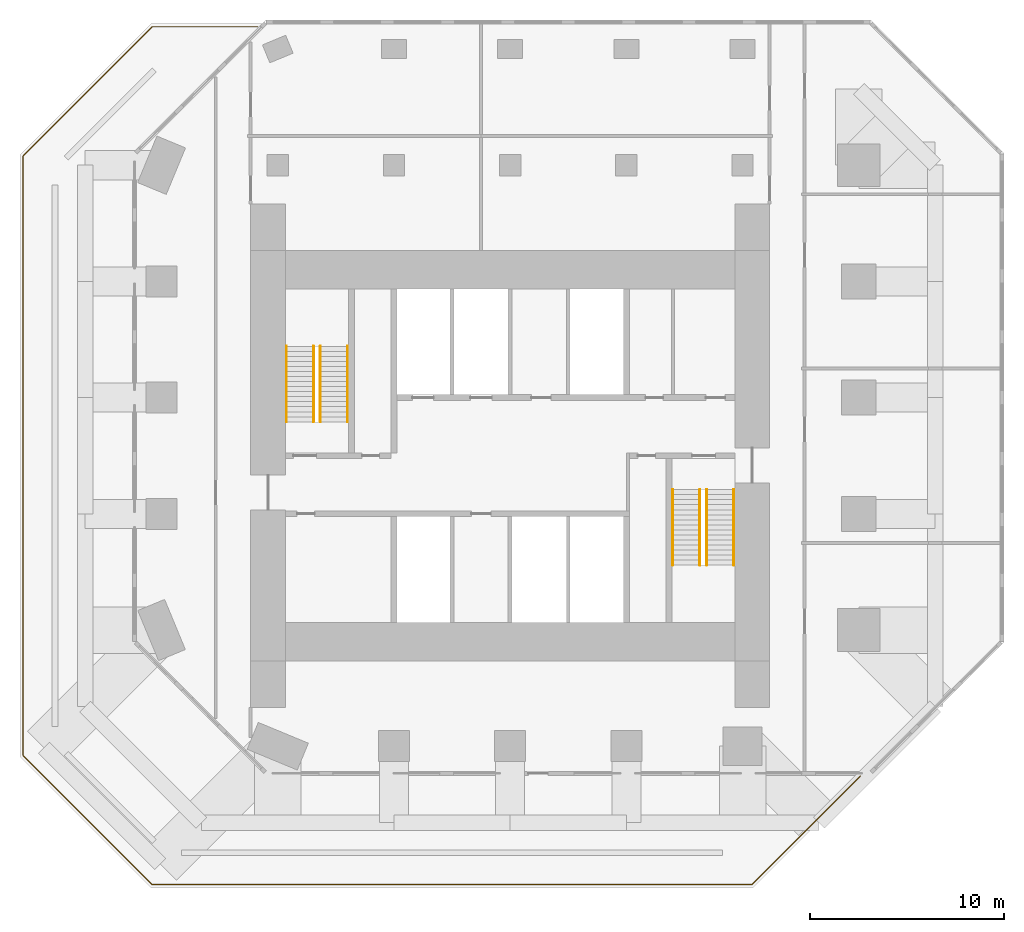
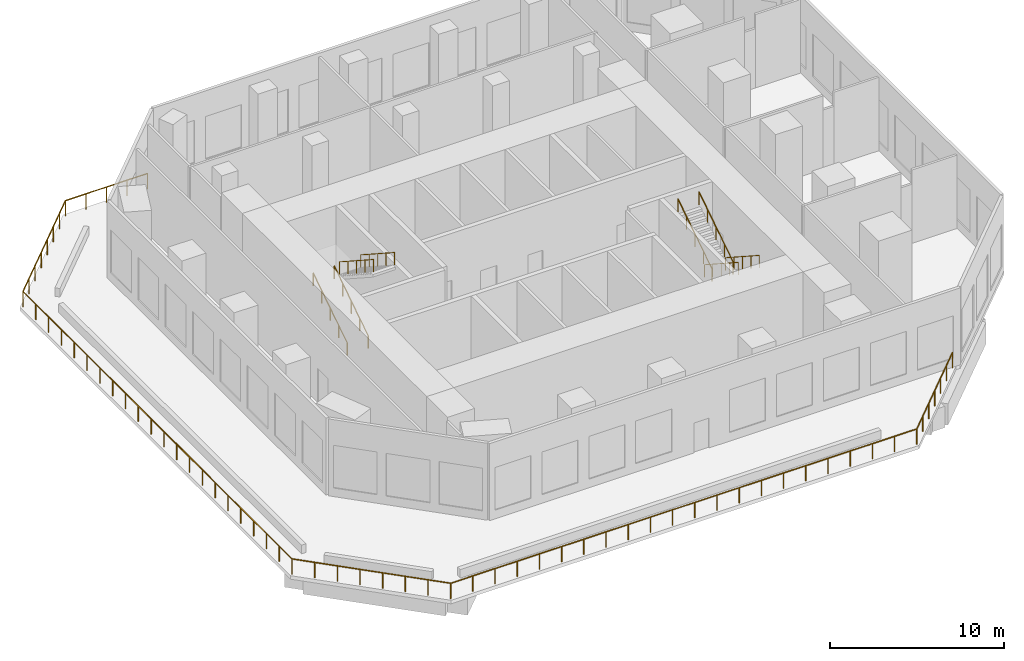
# One storey, part 6 of 6: 9 railings.
"""IFC4 building model written with IfcOpenShell, lengths in metres."""

from ifc_helpers import new_model, si_unit, direction, frame, origin, origin_2d, place, context, subcontext, project, spatial, circle, extrude, material, type_object, element, save


model = new_model("IFC4")

# Units and contexts
model_context = context("Model", 3, precision=1e-05, world=origin(), true_north=direction((0.0, 1.0)))
body_context = subcontext(model_context, "Body", "Model", "MODEL_VIEW")
ifc_project = project(units=[si_unit("LENGTHUNIT", "METRE"), si_unit("AREAUNIT", "SQUARE_METRE"), si_unit("VOLUMEUNIT", "CUBIC_METRE"), si_unit("PLANEANGLEUNIT", "RADIAN"), si_unit("MASSUNIT", "GRAM", prefix="KILO")], contexts=[model_context])

# Site, building, storey
site_placement = place(None, origin())
site = spatial("IfcSite", under=ifc_project, at=site_placement, CompositionType="ELEMENT")
building_placement = place(site_placement, origin())
building = spatial("IfcBuilding", under=site, at=building_placement, Name="Highveld Stack Headquarters", CompositionType="ELEMENT")
storey_placement = place(building_placement, frame((0.0, 0.0, 239.60009765625)))
storey = spatial("IfcBuildingStorey", under=building, at=storey_placement, Name="L59", CompositionType="ELEMENT", Elevation=239.60009765625)

# Railings
ifc_material_1 = material(Name="Stainless steel handrail", Category="steel")
railing_type_1 = type_object("IfcRailingType", Name="STAIR HANDRAIL HR1 900", PredefinedType="HANDRAIL", material=ifc_material_1)
for number, where, name in (
    (1, (-5.550048828125, 4.75, 0.168701171875), "Handrail S1 L59 flight 1"),
    (2, (-4.14990234375, 4.75, 0.168701171875), "Handrail S1 L59 flight 1"),
):
    element("IfcRailing", number, at=place(storey_placement, frame(where)), inside=storey, type_object=railing_type_1, Name=name, PredefinedType="HANDRAIL", context=body_context, shape_type="SweptSolid", body=[
        extrude(circle(Radius=0.02392578125, at=origin_2d()), frame((0.0, 0.0, 0.8759765625), z_axis=(0.0, 0.838805745541, 0.544430823198), x_axis=(-1.0, 0.0, 0.0)), (0.0, 0.0, 1.0), 4.6494140625),
        extrude(circle(Radius=0.02099609375, at=origin_2d()), origin(), (0.0, 0.0, 1.0), 0.851806640625),
        extrude(circle(Radius=0.02099609375, at=origin_2d()), frame((0.0, 0.97509765625, 0.6328125)), (0.0, 0.0, 1.0), 0.851806640625),
        extrude(circle(Radius=0.02099609375, at=origin_2d()), frame((0.0, 1.949951171875, 1.265625)), (0.0, 0.0, 1.0), 0.851806640625),
        extrude(circle(Radius=0.02099609375, at=origin_2d()), frame((0.0, 2.9248046875, 1.8984375)), (0.0, 0.0, 1.0), 0.851806640625),
        extrude(circle(Radius=0.02099609375, at=origin_2d()), frame((0.0, 3.89990234375, 2.53125)), (0.0, 0.0, 1.0), 0.851806640625),
    ])
for number, where, name in (
    (3, (-3.800048828125, 8.64990234375, 2.86865234375), "Handrail S1 L59 flight 2"),
    (4, (-2.39990234375, 8.64990234375, 2.86865234375), "Handrail S1 L59 flight 2"),
    (5, (16.14990234375, 1.25, 0.168701171875), "Handrail S2 L59 flight 1"),
    (6, (17.550048828125, 1.25, 0.168701171875), "Handrail S2 L59 flight 1"),
):
    element("IfcRailing", number, at=place(storey_placement, frame(where)), inside=storey, type_object=railing_type_1, Name=name, PredefinedType="HANDRAIL", context=body_context, shape_type="SweptSolid", body=[
        extrude(circle(Radius=0.02392578125, at=origin_2d()), frame((0.0, 0.0, 0.8759765625), z_axis=(0.0, -0.838805745541, 0.544430823198), x_axis=(1.0, 0.0, 0.0)), (0.0, 0.0, 1.0), 4.6494140625),
        extrude(circle(Radius=0.02099609375, at=origin_2d()), origin(), (0.0, 0.0, 1.0), 0.851806640625),
        extrude(circle(Radius=0.02099609375, at=origin_2d()), frame((0.0, -0.97509765625, 0.6328125)), (0.0, 0.0, 1.0), 0.851806640625),
        extrude(circle(Radius=0.02099609375, at=origin_2d()), frame((0.0, -1.949951171875, 1.265625)), (0.0, 0.0, 1.0), 0.851806640625),
        extrude(circle(Radius=0.02099609375, at=origin_2d()), frame((0.0, -2.9248046875, 1.8984375)), (0.0, 0.0, 1.0), 0.851806640625),
        extrude(circle(Radius=0.02099609375, at=origin_2d()), frame((0.0, -3.89990234375, 2.53125)), (0.0, 0.0, 1.0), 0.851806640625),
    ])
for number, where, name in (
    (7, (14.39990234375, -2.64990234375, 2.86865234375), "Handrail S2 L59 flight 2"),
    (8, (15.800048828125, -2.64990234375, 2.86865234375), "Handrail S2 L59 flight 2"),
):
    element("IfcRailing", number, at=place(storey_placement, frame(where)), inside=storey, type_object=railing_type_1, Name=name, PredefinedType="HANDRAIL", context=body_context, shape_type="SweptSolid", body=[
        extrude(circle(Radius=0.02392578125, at=origin_2d()), frame((0.0, 0.0, 0.8759765625), z_axis=(0.0, 0.838805745541, 0.544430823198), x_axis=(-1.0, 0.0, 0.0)), (0.0, 0.0, 1.0), 4.6494140625),
        extrude(circle(Radius=0.02099609375, at=origin_2d()), origin(), (0.0, 0.0, 1.0), 0.851806640625),
        extrude(circle(Radius=0.02099609375, at=origin_2d()), frame((0.0, 0.97509765625, 0.6328125)), (0.0, 0.0, 1.0), 0.851806640625),
        extrude(circle(Radius=0.02099609375, at=origin_2d()), frame((0.0, 1.949951171875, 1.265625)), (0.0, 0.0, 1.0), 0.851806640625),
        extrude(circle(Radius=0.02099609375, at=origin_2d()), frame((0.0, 2.9248046875, 1.8984375)), (0.0, 0.0, 1.0), 0.851806640625),
        extrude(circle(Radius=0.02099609375, at=origin_2d()), frame((0.0, 3.89990234375, 2.53125)), (0.0, 0.0, 1.0), 0.851806640625),
    ])
ifc_material_2 = material(Name="Laminated glass balustrade with bronze handrail", Category="glass")
railing_type_2 = type_object("IfcRailingType", Name="TERRACE GUARD GR1 1100 GLASS", PredefinedType="GUARDRAIL", material=ifc_material_2)
railing_placement = place(storey_placement, frame((24.08251953125, -13.5439453125, 0.0)))
element("IfcRailing", 9, at=railing_placement, inside=storey, type_object=railing_type_2, Name="Terrace guard L59 1", PredefinedType="GUARDRAIL", context=body_context, shape_type="SweptSolid", body=[
    extrude(circle(Radius=0.02392578125, at=origin_2d()), frame((0.0, 0.0, 1.076171875), z_axis=(-0.707122178009, -0.707091384029, 0.0), x_axis=(0.707091384029, -0.707122178009, 0.0)), (0.0, 0.0, 1.0), 7.92822265625),
    extrude(circle(Radius=0.02392578125, at=origin_2d()), frame((-5.606201171875, -5.60595703125, 1.076171875), z_axis=(-1.0, 0.0, 0.0), x_axis=(0.0, -1.0, 0.0)), (0.0, 0.0, 1.0), 30.95263671875),
    extrude(circle(Radius=0.02392578125, at=origin_2d()), frame((-36.558837890625, -5.60595703125, 1.076171875), z_axis=(-0.707106781187, 0.707106781187, 0.0), x_axis=(-0.707106781187, -0.707106781187, 0.0)), (0.0, 0.0, 1.0), 9.43798828125),
    extrude(circle(Radius=0.02392578125, at=origin_2d()), frame((-43.232421875, 1.067626953125, 1.076171875), z_axis=(0.0, 1.0, 0.0), x_axis=(-1.0, 0.0, 0.0)), (0.0, 0.0, 1.0), 30.95263671875),
    extrude(circle(Radius=0.02392578125, at=origin_2d()), frame((-43.232421875, 32.020263671875, 1.076171875), z_axis=(0.707106781187, 0.707106781187, 0.0), x_axis=(-0.707106781187, 0.707106781187, 0.0)), (0.0, 0.0, 1.0), 9.43798828125),
    extrude(circle(Radius=0.02392578125, at=origin_2d()), frame((-36.558837890625, 38.69384765625, 1.076171875), z_axis=(1.0, 0.0, 0.0), x_axis=(0.0, 1.0, 0.0)), (0.0, 0.0, 1.0), 5.44287109375),
    extrude(circle(Radius=0.02099609375, at=origin_2d()), origin(), (0.0, 0.0, 1.0), 1.052001953125),
    extrude(circle(Radius=0.02099609375, at=origin_2d()), frame((-0.934326171875, -0.934326171875, 0.0)), (0.0, 0.0, 1.0), 1.052001953125),
    extrude(circle(Radius=0.02099609375, at=origin_2d()), frame((-1.86865234375, -1.86865234375, 0.0)), (0.0, 0.0, 1.0), 1.052001953125),
    extrude(circle(Radius=0.02099609375, at=origin_2d()), frame((-2.80322265625, -2.802978515625, 0.0)), (0.0, 0.0, 1.0), 1.052001953125),
    extrude(circle(Radius=0.02099609375, at=origin_2d()), frame((-3.737548828125, -3.7373046875, 0.0)), (0.0, 0.0, 1.0), 1.052001953125),
    extrude(circle(Radius=0.02099609375, at=origin_2d()), frame((-4.671875, -4.671630859375, 0.0)), (0.0, 0.0, 1.0), 1.052001953125),
    extrude(circle(Radius=0.02099609375, at=origin_2d()), frame((-5.606201171875, -5.60595703125, 0.0)), (0.0, 0.0, 1.0), 1.052001953125),
    extrude(circle(Radius=0.02099609375, at=origin_2d()), frame((-7.080078125, -5.60595703125, 0.0)), (0.0, 0.0, 1.0), 1.052001953125),
    extrude(circle(Radius=0.02099609375, at=origin_2d()), frame((-8.553955078125, -5.60595703125, 0.0)), (0.0, 0.0, 1.0), 1.052001953125),
    extrude(circle(Radius=0.02099609375, at=origin_2d()), frame((-10.028076171875, -5.60595703125, 0.0)), (0.0, 0.0, 1.0), 1.052001953125),
    extrude(circle(Radius=0.02099609375, at=origin_2d()), frame((-11.501953125, -5.60595703125, 0.0)), (0.0, 0.0, 1.0), 1.052001953125),
    extrude(circle(Radius=0.02099609375, at=origin_2d()), frame((-12.975830078125, -5.60595703125, 0.0)), (0.0, 0.0, 1.0), 1.052001953125),
    extrude(circle(Radius=0.02099609375, at=origin_2d()), frame((-14.44970703125, -5.60595703125, 0.0)), (0.0, 0.0, 1.0), 1.052001953125),
    extrude(circle(Radius=0.02099609375, at=origin_2d()), frame((-15.923828125, -5.60595703125, 0.0)), (0.0, 0.0, 1.0), 1.052001953125),
    extrude(circle(Radius=0.02099609375, at=origin_2d()), frame((-17.397705078125, -5.60595703125, 0.0)), (0.0, 0.0, 1.0), 1.052001953125),
    extrude(circle(Radius=0.02099609375, at=origin_2d()), frame((-18.87158203125, -5.60595703125, 0.0)), (0.0, 0.0, 1.0), 1.052001953125),
    extrude(circle(Radius=0.02099609375, at=origin_2d()), frame((-20.345458984375, -5.60595703125, 0.0)), (0.0, 0.0, 1.0), 1.052001953125),
    extrude(circle(Radius=0.02099609375, at=origin_2d()), frame((-21.819580078125, -5.60595703125, 0.0)), (0.0, 0.0, 1.0), 1.052001953125),
    extrude(circle(Radius=0.02099609375, at=origin_2d()), frame((-23.29345703125, -5.60595703125, 0.0)), (0.0, 0.0, 1.0), 1.052001953125),
    extrude(circle(Radius=0.02099609375, at=origin_2d()), frame((-24.767333984375, -5.60595703125, 0.0)), (0.0, 0.0, 1.0), 1.052001953125),
    extrude(circle(Radius=0.02099609375, at=origin_2d()), frame((-26.2412109375, -5.60595703125, 0.0)), (0.0, 0.0, 1.0), 1.052001953125),
    extrude(circle(Radius=0.02099609375, at=origin_2d()), frame((-27.71533203125, -5.60595703125, 0.0)), (0.0, 0.0, 1.0), 1.052001953125),
    extrude(circle(Radius=0.02099609375, at=origin_2d()), frame((-29.189208984375, -5.60595703125, 0.0)), (0.0, 0.0, 1.0), 1.052001953125),
    extrude(circle(Radius=0.02099609375, at=origin_2d()), frame((-30.6630859375, -5.60595703125, 0.0)), (0.0, 0.0, 1.0), 1.052001953125),
    extrude(circle(Radius=0.02099609375, at=origin_2d()), frame((-32.136962890625, -5.60595703125, 0.0)), (0.0, 0.0, 1.0), 1.052001953125),
    extrude(circle(Radius=0.02099609375, at=origin_2d()), frame((-33.611083984375, -5.60595703125, 0.0)), (0.0, 0.0, 1.0), 1.052001953125),
    extrude(circle(Radius=0.02099609375, at=origin_2d()), frame((-35.0849609375, -5.60595703125, 0.0)), (0.0, 0.0, 1.0), 1.052001953125),
    extrude(circle(Radius=0.02099609375, at=origin_2d()), frame((-36.558837890625, -5.60595703125, 0.0)), (0.0, 0.0, 1.0), 1.052001953125),
    extrude(circle(Radius=0.02099609375, at=origin_2d()), frame((-37.51220703125, -4.652587890625, 0.0)), (0.0, 0.0, 1.0), 1.052001953125),
    extrude(circle(Radius=0.02099609375, at=origin_2d()), frame((-38.465576171875, -3.69921875, 0.0)), (0.0, 0.0, 1.0), 1.052001953125),
    extrude(circle(Radius=0.02099609375, at=origin_2d()), frame((-39.4189453125, -2.745849609375, 0.0)), (0.0, 0.0, 1.0), 1.052001953125),
    extrude(circle(Radius=0.02099609375, at=origin_2d()), frame((-40.372314453125, -1.79248046875, 0.0)), (0.0, 0.0, 1.0), 1.052001953125),
    extrude(circle(Radius=0.02099609375, at=origin_2d()), frame((-41.32568359375, -0.839111328125, 0.0)), (0.0, 0.0, 1.0), 1.052001953125),
    extrude(circle(Radius=0.02099609375, at=origin_2d()), frame((-42.279052734375, 0.1142578125, 0.0)), (0.0, 0.0, 1.0), 1.052001953125),
    extrude(circle(Radius=0.02099609375, at=origin_2d()), frame((-43.232421875, 1.067626953125, 0.0)), (0.0, 0.0, 1.0), 1.052001953125),
    extrude(circle(Radius=0.02099609375, at=origin_2d()), frame((-43.232421875, 2.54150390625, 0.0)), (0.0, 0.0, 1.0), 1.052001953125),
    extrude(circle(Radius=0.02099609375, at=origin_2d()), frame((-43.232421875, 4.015380859375, 0.0)), (0.0, 0.0, 1.0), 1.052001953125),
    extrude(circle(Radius=0.02099609375, at=origin_2d()), frame((-43.232421875, 5.489501953125, 0.0)), (0.0, 0.0, 1.0), 1.052001953125),
    extrude(circle(Radius=0.02099609375, at=origin_2d()), frame((-43.232421875, 6.96337890625, 0.0)), (0.0, 0.0, 1.0), 1.052001953125),
    extrude(circle(Radius=0.02099609375, at=origin_2d()), frame((-43.232421875, 8.437255859375, 0.0)), (0.0, 0.0, 1.0), 1.052001953125),
    extrude(circle(Radius=0.02099609375, at=origin_2d()), frame((-43.232421875, 9.9111328125, 0.0)), (0.0, 0.0, 1.0), 1.052001953125),
    extrude(circle(Radius=0.02099609375, at=origin_2d()), frame((-43.232421875, 11.38525390625, 0.0)), (0.0, 0.0, 1.0), 1.052001953125),
    extrude(circle(Radius=0.02099609375, at=origin_2d()), frame((-43.232421875, 12.859130859375, 0.0)), (0.0, 0.0, 1.0), 1.052001953125),
    extrude(circle(Radius=0.02099609375, at=origin_2d()), frame((-43.232421875, 14.3330078125, 0.0)), (0.0, 0.0, 1.0), 1.052001953125),
    extrude(circle(Radius=0.02099609375, at=origin_2d()), frame((-43.232421875, 15.806884765625, 0.0)), (0.0, 0.0, 1.0), 1.052001953125),
    extrude(circle(Radius=0.02099609375, at=origin_2d()), frame((-43.232421875, 17.281005859375, 0.0)), (0.0, 0.0, 1.0), 1.052001953125),
    extrude(circle(Radius=0.02099609375, at=origin_2d()), frame((-43.232421875, 18.7548828125, 0.0)), (0.0, 0.0, 1.0), 1.052001953125),
    extrude(circle(Radius=0.02099609375, at=origin_2d()), frame((-43.232421875, 20.228759765625, 0.0)), (0.0, 0.0, 1.0), 1.052001953125),
    extrude(circle(Radius=0.02099609375, at=origin_2d()), frame((-43.232421875, 21.70263671875, 0.0)), (0.0, 0.0, 1.0), 1.052001953125),
    extrude(circle(Radius=0.02099609375, at=origin_2d()), frame((-43.232421875, 23.1767578125, 0.0)), (0.0, 0.0, 1.0), 1.052001953125),
    extrude(circle(Radius=0.02099609375, at=origin_2d()), frame((-43.232421875, 24.650634765625, 0.0)), (0.0, 0.0, 1.0), 1.052001953125),
    extrude(circle(Radius=0.02099609375, at=origin_2d()), frame((-43.232421875, 26.12451171875, 0.0)), (0.0, 0.0, 1.0), 1.052001953125),
    extrude(circle(Radius=0.02099609375, at=origin_2d()), frame((-43.232421875, 27.598388671875, 0.0)), (0.0, 0.0, 1.0), 1.052001953125),
    extrude(circle(Radius=0.02099609375, at=origin_2d()), frame((-43.232421875, 29.072509765625, 0.0)), (0.0, 0.0, 1.0), 1.052001953125),
    extrude(circle(Radius=0.02099609375, at=origin_2d()), frame((-43.232421875, 30.54638671875, 0.0)), (0.0, 0.0, 1.0), 1.052001953125),
    extrude(circle(Radius=0.02099609375, at=origin_2d()), frame((-43.232421875, 32.020263671875, 0.0)), (0.0, 0.0, 1.0), 1.052001953125),
    extrude(circle(Radius=0.02099609375, at=origin_2d()), frame((-42.279052734375, 32.9736328125, 0.0)), (0.0, 0.0, 1.0), 1.052001953125),
    extrude(circle(Radius=0.02099609375, at=origin_2d()), frame((-41.32568359375, 33.927001953125, 0.0)), (0.0, 0.0, 1.0), 1.052001953125),
    extrude(circle(Radius=0.02099609375, at=origin_2d()), frame((-40.372314453125, 34.88037109375, 0.0)), (0.0, 0.0, 1.0), 1.052001953125),
    extrude(circle(Radius=0.02099609375, at=origin_2d()), frame((-39.4189453125, 35.833740234375, 0.0)), (0.0, 0.0, 1.0), 1.052001953125),
    extrude(circle(Radius=0.02099609375, at=origin_2d()), frame((-38.465576171875, 36.787109375, 0.0)), (0.0, 0.0, 1.0), 1.052001953125),
    extrude(circle(Radius=0.02099609375, at=origin_2d()), frame((-37.51220703125, 37.740478515625, 0.0)), (0.0, 0.0, 1.0), 1.052001953125),
    extrude(circle(Radius=0.02099609375, at=origin_2d()), frame((-36.558837890625, 38.69384765625, 0.0)), (0.0, 0.0, 1.0), 1.052001953125),
    extrude(circle(Radius=0.02099609375, at=origin_2d()), frame((-35.1982421875, 38.69384765625, 0.0)), (0.0, 0.0, 1.0), 1.052001953125),
    extrude(circle(Radius=0.02099609375, at=origin_2d()), frame((-33.83740234375, 38.69384765625, 0.0)), (0.0, 0.0, 1.0), 1.052001953125),
    extrude(circle(Radius=0.02099609375, at=origin_2d()), frame((-32.4765625, 38.69384765625, 0.0)), (0.0, 0.0, 1.0), 1.052001953125),
    extrude(circle(Radius=0.02099609375, at=origin_2d()), frame((-31.115966796875, 38.69384765625, 0.0)), (0.0, 0.0, 1.0), 1.052001953125),
])

save(model, "model.ifc")
